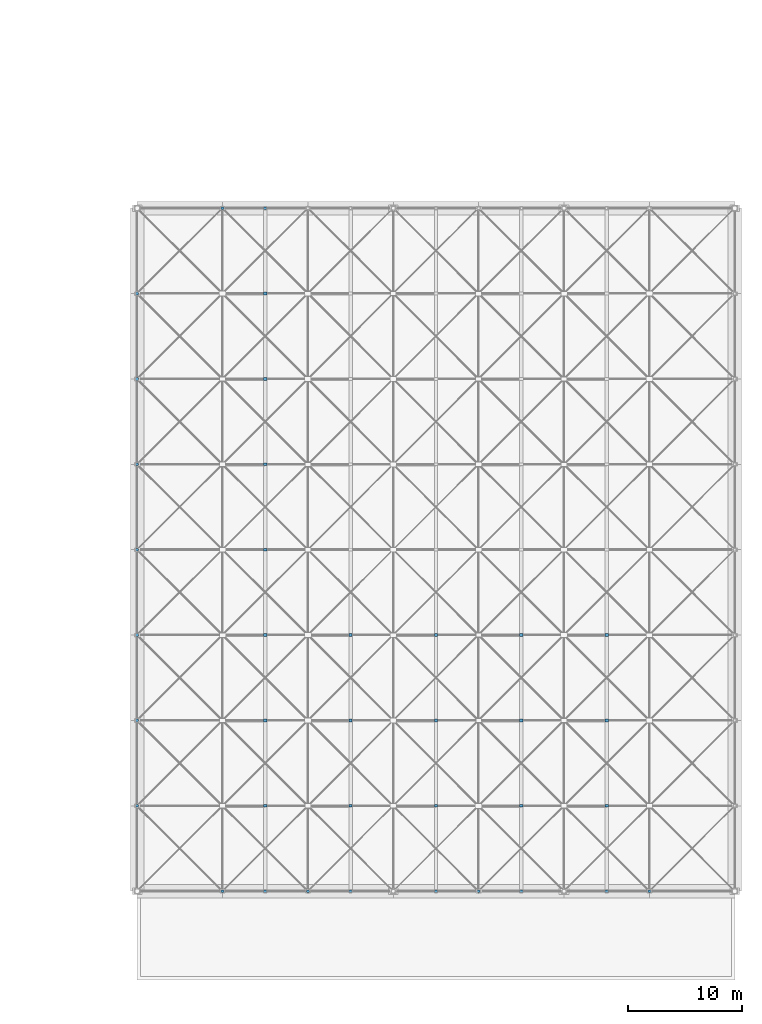
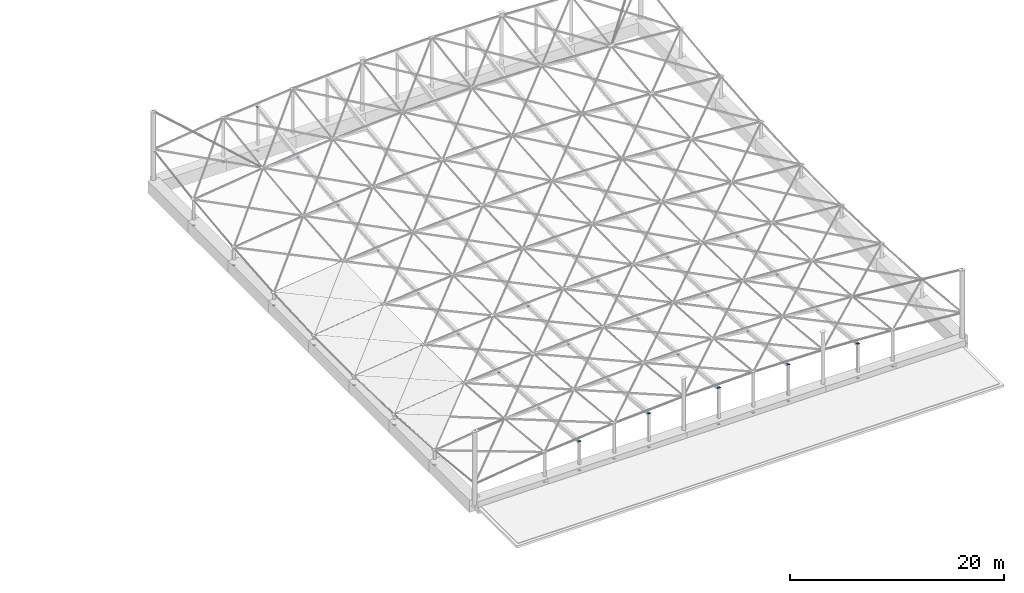
# One storey, part 15 of 17: 43 discrete accessories.
"""IFC4 building model written with IfcOpenShell, lengths in metres."""

from ifc_helpers import new_model, si_unit, direction, frame, origin, origin_2d, place, context, subcontext, project, spatial, rectangle, extrude, material, type_object, element, save


model = new_model("IFC4")

# Units and contexts
model_context = context("Model", 3, precision=1e-05, world=origin(), true_north=direction((0.0, 1.0)))
body_context = subcontext(model_context, "Body", "Model", "MODEL_VIEW")
ifc_project = project(units=[si_unit("LENGTHUNIT", "METRE"), si_unit("AREAUNIT", "SQUARE_METRE"), si_unit("VOLUMEUNIT", "CUBIC_METRE"), si_unit("PLANEANGLEUNIT", "RADIAN"), si_unit("MASSUNIT", "GRAM", prefix="KILO")], contexts=[model_context])

# Site, building, storey
site_placement = place(None, origin())
site = spatial("IfcSite", under=ifc_project, at=site_placement, CompositionType="ELEMENT")
building_placement = place(site_placement, origin())
building = spatial("IfcBuilding", under=site, at=building_placement, Name="Qasida Concert Hall", CompositionType="ELEMENT")
storey_placement = place(building_placement, frame((0.0, 0.0, 25.199951171875)))
storey = spatial("IfcBuildingStorey", under=building, at=storey_placement, Name="RF", CompositionType="ELEMENT", Elevation=25.199951171875)

# Discrete accessories
ifc_material = material(Name="Steel S355J2", Category="steel")
discrete_accessory_type = type_object("IfcDiscreteAccessoryType", Name="ACC-CONN-S355", PredefinedType="BRACKET", material=ifc_material)
for number, where, z_axis, x_axis, name in (
    (1, (52.5, 30.0, -0.011962890625), (0.0, 0.0, 1.0), (1.0, 0.0, 0.0), "Steel brace/strut end connection CN-0013"),
    (2, (52.5, 37.5, -0.011962890625), (0.0, 0.0, 1.0), (1.0, 0.0, 0.0), "Steel brace/strut end connection CN-0014"),
    (3, (52.5, 45.0, -0.011962890625), (0.0, 0.0, 1.0), (1.0, 0.0, 0.0), "Steel brace/strut end connection CN-0015"),
    (4, (52.5, 52.5, -0.011962890625), (0.0, 0.0, 1.0), (1.0, 0.0, 0.0), "Steel brace/strut end connection CN-0016"),
    (5, (52.5, 60.0, -0.011962890625), (0.0, 0.0, 1.0), (1.0, 0.0, 0.0), "Steel brace/strut end connection CN-0017"),
    (6, (52.5, 67.5, -0.011962890625), (0.0, 0.0, 1.0), (1.0, 0.0, 0.0), "Steel brace/strut end connection CN-0018"),
    (7, (52.5, 75.0, -0.011962890625), (0.0, 0.0, 1.0), (1.0, 0.0, 0.0), "Steel brace/strut end connection CN-0019"),
    (8, (60.0, 22.5, -0.011962890625), (0.0, 0.0, 1.0), (1.0, 0.0, 0.0), "Steel brace/strut end connection CN-0020"),
    (9, (60.0, 82.5, -0.011962890625), (0.0, 0.0, 1.0), (1.0, 0.0, 0.0), "Steel brace/strut end connection CN-0021"),
    (10, (67.5, 22.5, -0.011962890625), (0.0, 0.0, 1.0), (1.0, 0.0, 0.0), "Steel brace/strut end connection CN-0022"),
    (11, (82.5, 22.5, -0.011962890625), (0.0, 0.0, 1.0), (1.0, 0.0, 0.0), "Steel brace/strut end connection CN-0024"),
    (12, (97.5, 22.5, -0.011962890625), (0.0, 0.0, 1.0), (1.0, 0.0, 0.0), "Steel brace/strut end connection CN-0026"),
    (13, (63.75, 22.5, -0.011962890625), (0.0, 0.0, 1.0), (1.0, 0.0, 0.0), "Steel brace/strut end connection CN-0035"),
    (14, (63.75, 22.5, 3.304931640625), (0.0, 0.0, 1.0), (1.0, 0.0, 0.0), "Steel brace/strut end connection CN-0036"),
    (15, (63.75, 82.5, -0.011962890625), (0.0, 0.0, 1.0), (1.0, 0.0, 0.0), "Steel brace/strut end connection CN-0037"),
    (16, (63.75, 82.5, 5.0048828125), (0.0, 0.0, 1.0), (1.0, 0.0, 0.0), "Steel brace/strut end connection CN-0038"),
    (17, (63.75, 30.0, 2.554931640625), (0.0, 0.0, 1.0), (1.0, 0.0, 0.0), "Steel brace/strut end connection CN-0039"),
    (18, (63.75, 37.5, 2.080078125), (0.0, 0.0, 1.0), (1.0, 0.0, 0.0), "Steel brace/strut end connection CN-0040"),
    (19, (63.75, 45.0, 1.8798828125), (0.0, 0.0, 1.0), (1.0, 0.0, 0.0), "Steel brace/strut end connection CN-0041"),
    (20, (63.75, 52.5, 1.955078125), (0.0, 0.0, 1.0), (1.0, 0.0, 0.0), "Steel brace/strut end connection CN-0042"),
    (21, (63.75, 60.0, 2.304931640625), (0.0, 0.0, 1.0), (1.0, 0.0, 0.0), "Steel brace/strut end connection CN-0043"),
    (22, (63.75, 67.5, 2.929931640625), (0.0, 0.0, 1.0), (1.0, 0.0, 0.0), "Steel brace/strut end connection CN-0044"),
    (23, (63.75, 75.0, 3.830078125), (0.0, 0.0, 1.0), (1.0, 0.0, 0.0), "Steel brace/strut end connection CN-0045"),
    (24, (71.25, 22.5, -0.011962890625), (0.0, 0.0, 1.0), (1.0, 0.0, 0.0), "Steel brace/strut end connection CN-0046"),
    (25, (71.25, 22.5, 3.8662109375), (0.0, 0.0, 1.0), (1.0, 0.0, 0.0), "Steel brace/strut end connection CN-0047"),
    (26, (71.25, 30.0, 3.1162109375), (0.0, 0.0, 1.0), (1.0, 0.0, 0.0), "Steel brace/strut end connection CN-0050"),
    (27, (71.25, 37.5, 2.641357421875), (0.0, 0.0, 1.0), (1.0, 0.0, 0.0), "Steel brace/strut end connection CN-0051"),
    (28, (71.25, 45.0, 2.44140625), (0.0, 0.0, 1.0), (1.0, 0.0, 0.0), "Steel brace/strut end connection CN-0052"),
    (29, (78.75, 22.5, -0.011962890625), (0.0, 0.0, 1.0), (1.0, 0.0, 0.0), "Steel brace/strut end connection CN-0057"),
    (30, (78.75, 22.5, 4.158203125), (0.0, 0.0, 1.0), (1.0, 0.0, 0.0), "Steel brace/strut end connection CN-0058"),
    (31, (78.75, 30.0, 3.408203125), (0.0, 0.0, 1.0), (1.0, 0.0, 0.0), "Steel brace/strut end connection CN-0061"),
    (32, (78.75, 37.5, 2.93310546875), (0.0, 0.0, 1.0), (1.0, 0.0, 0.0), "Steel brace/strut end connection CN-0062"),
    (33, (78.75, 45.0, 2.733154296875), (0.0, 0.0, 1.0), (1.0, 0.0, 0.0), "Steel brace/strut end connection CN-0063"),
    (34, (86.25, 22.5, -0.011962890625), (0.0, 0.0, 1.0), (1.0, 0.0, 0.0), "Steel brace/strut end connection CN-0068"),
    (35, (86.25, 22.5, 4.180419921875), (0.0, 0.0, 1.0), (1.0, 0.0, 0.0), "Steel brace/strut end connection CN-0069"),
    (36, (86.25, 30.0, 3.430419921875), (0.0, 0.0, 1.0), (1.0, 0.0, 0.0), "Steel brace/strut end connection CN-0072"),
    (37, (86.25, 37.5, 2.95556640625), (0.0, 0.0, 1.0), (1.0, 0.0, 0.0), "Steel brace/strut end connection CN-0073"),
    (38, (86.25, 45.0, 2.75537109375), (0.0, 0.0, 1.0), (1.0, 0.0, 0.0), "Steel brace/strut end connection CN-0074"),
    (39, (93.75, 22.5, -0.011962890625), (0.0, 0.0, 1.0), (1.0, 0.0, 0.0), "Steel brace/strut end connection CN-0079"),
    (40, (93.75, 22.5, 3.93359375), (0.0, 0.0, 1.0), (1.0, 0.0, 0.0), "Steel brace/strut end connection CN-0080"),
    (41, (93.75, 30.0, 3.18359375), (0.0, 0.0, 1.0), (1.0, 0.0, 0.0), "Steel brace/strut end connection CN-0083"),
    (42, (93.75, 37.5, 2.70849609375), (0.0, 0.0, 1.0), (1.0, 0.0, 0.0), "Steel brace/strut end connection CN-0084"),
    (43, (93.75, 45.0, 2.508544921875), (0.0, 0.0, 1.0), (1.0, 0.0, 0.0), "Steel brace/strut end connection CN-0085"),
):
    element("IfcDiscreteAccessory", number, at=place(storey_placement, frame(where, z_axis=z_axis, x_axis=x_axis)), inside=storey, type_object=discrete_accessory_type, Name=name, PredefinedType="BRACKET", context=body_context, shape_type="SweptSolid", body=[
        extrude(rectangle(XDim=0.280029296875, YDim=0.239990234375, at=origin_2d()), origin(), (0.0, 0.0, 1.0), 0.02392578125),
    ])

save(model, "model.ifc")
